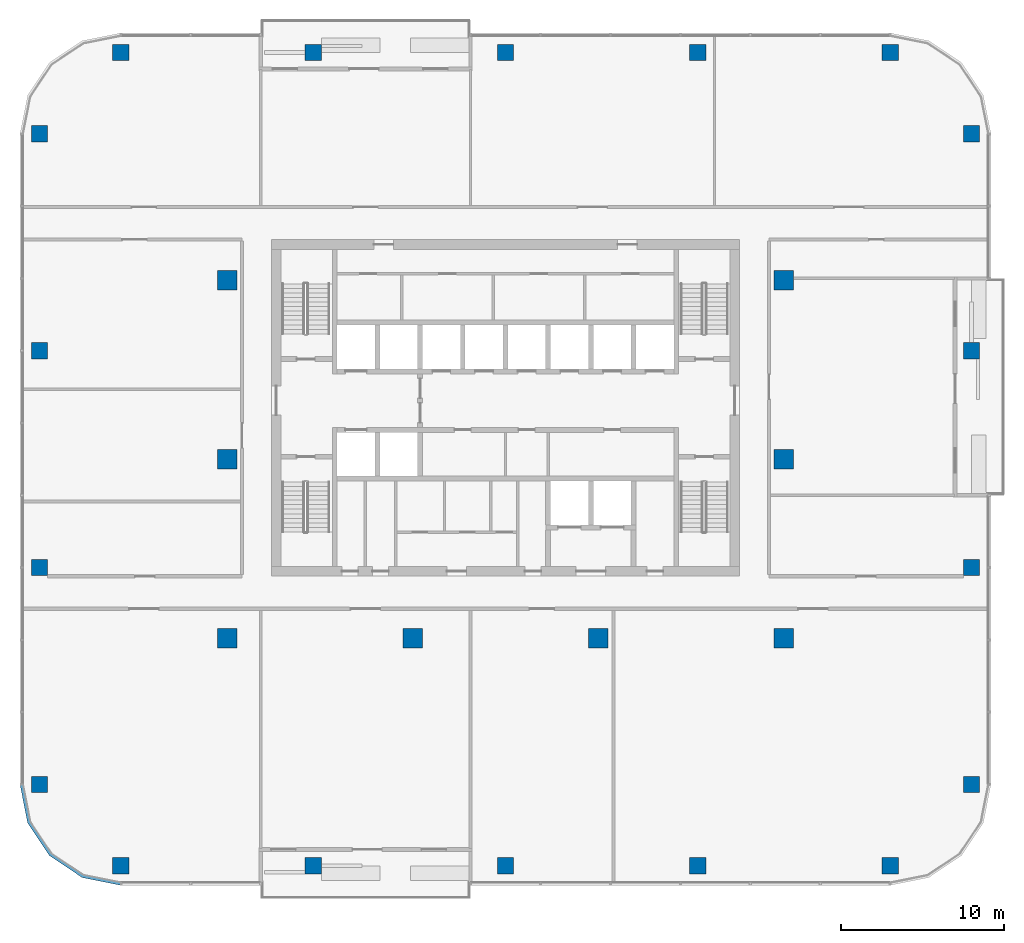
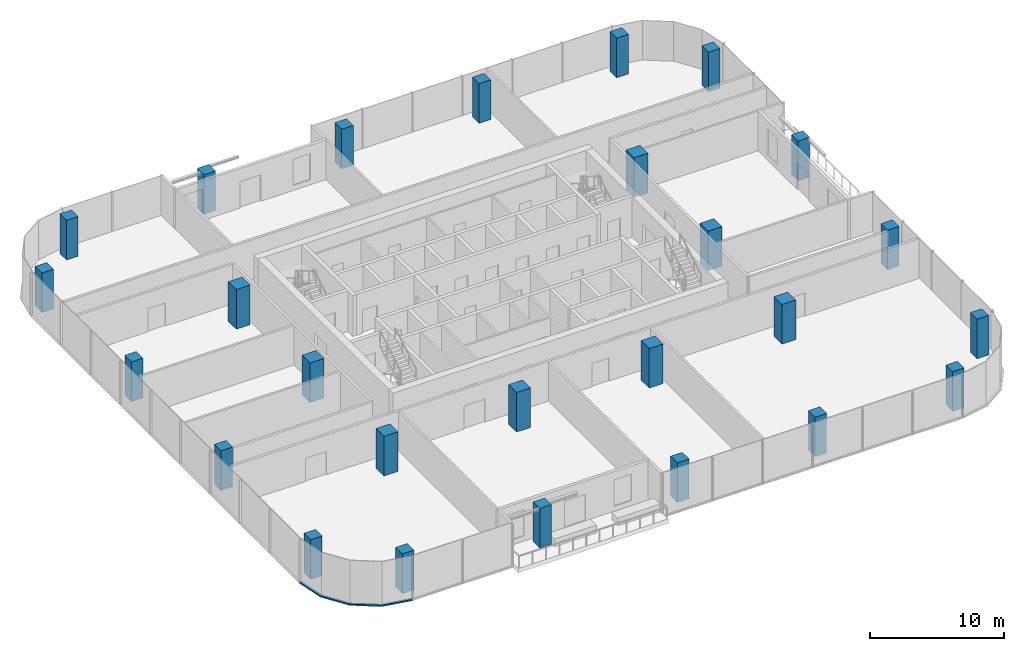
# One storey, part 1 of 13: 26 columns, 1 member, 1 element without a shape of its own.
"""IFC4 building model written with IfcOpenShell, lengths in metres."""

import ifcopenshell
import ifcopenshell.guid

model = None  # the IFC model being written
_history = None  # IfcOwnerHistory: only IFC2X3 demands one
_inside = {}  # id of a spatial element -> (the spatial element, [elements in it])
_under = {}  # id of a project, library or spatial element -> (it, [spatial elements below it])
_declared = {}  # id of a project -> (the project, [libraries it declares])
_typed = {}  # id of a type object -> (the type object, [elements of that type])
_made_of = {}  # id of a material, layer set ... -> (it, [elements and type objects made of it])


def new_model(schema):
    """Start an empty IFC model of exactly this schema.

    Asked for "IFC4X3", IfcOpenShell would pick the latest addendum, in which some entities
    have other attributes; the version numbers below select the first issue.
    IFC2X3 requires an IfcOwnerHistory on every rooted entity: one is made here for all.
    """
    global model, _history
    if schema == "IFC4X3":
        model = ifcopenshell.file(schema_version=(4, 3, 0, 0))
    else:
        model = ifcopenshell.file(schema=schema)
    _inside.clear()
    _under.clear()
    _declared.clear()
    _typed.clear()
    _made_of.clear()
    _history = None
    if model.schema == "IFC2X3":
        org = make("IfcOrganization", Name="unknown")
        user = make(
            "IfcPersonAndOrganization",
            ThePerson=make("IfcPerson", FamilyName="unknown"),
            TheOrganization=org,
        )
        app = make(
            "IfcApplication",
            ApplicationDeveloper=org,
            Version="unknown",
            ApplicationFullName="unknown",
            ApplicationIdentifier="unknown",
        )
        _history = make(
            "IfcOwnerHistory",
            OwningUser=user,
            OwningApplication=app,
            ChangeAction="ADDED",
            CreationDate=0,
        )
    return model


def make(cls, **values):
    """One entity of the class cls with the attributes given. An attribute that is None is left unset."""
    return model.create_entity(
        cls, **{name: value for name, value in values.items() if value is not None}
    )


def rooted(cls, **values):
    """An entity with a GlobalId (a new one), such as an element, a storey or a relation."""
    return make(cls, GlobalId=ifcopenshell.guid.new(), OwnerHistory=_history, **values)


def si_unit(unit_type, name, prefix=None):
    """IfcSIUnit, for example si_unit("LENGTHUNIT", "METRE", prefix="MILLI")."""
    return make("IfcSIUnit", UnitType=unit_type, Prefix=prefix, Name=name)


def assignment(units):
    """IfcUnitAssignment: the units of a project."""
    return None if units is None else make("IfcUnitAssignment", Units=units)


def point(xyz):
    """IfcCartesianPoint."""
    return None if xyz is None else make("IfcCartesianPoint", Coordinates=xyz)


def direction(xyz):
    """IfcDirection."""
    return None if xyz is None else make("IfcDirection", DirectionRatios=xyz)


def frame(location, z_axis=None, x_axis=None):
    """IfcAxis2Placement3D, a coordinate frame: its origin and axes. An axis left out is left unset."""
    return make(
        "IfcAxis2Placement3D",
        Location=point(location),
        Axis=direction(z_axis),
        RefDirection=direction(x_axis),
    )


def frame_2d(location, x_axis=None):
    """IfcAxis2Placement2D, a coordinate frame in the plane: its origin and x axis."""
    return make(
        "IfcAxis2Placement2D", Location=point(location), RefDirection=direction(x_axis)
    )


def origin():
    """The frame at (0, 0, 0) with its axes left unset."""
    return frame((0.0, 0.0, 0.0))


def origin_2d():
    """The frame at (0, 0) in the plane with its x axis left unset."""
    return frame_2d((0.0, 0.0))


def place(relative_to, where):
    """IfcLocalPlacement: puts the frame where relative to a parent placement (None: the world)."""
    return make(
        "IfcLocalPlacement", PlacementRelTo=relative_to, RelativePlacement=where
    )


def context(
    kind, dimensions, precision=None, world=None, true_north=None, identifier=None
):
    """IfcGeometricRepresentationContext, for example the 3D "Model" context."""
    return make(
        "IfcGeometricRepresentationContext",
        ContextIdentifier=identifier,
        ContextType=kind,
        CoordinateSpaceDimension=dimensions,
        Precision=precision,
        WorldCoordinateSystem=world,
        TrueNorth=true_north,
    )


def subcontext(parent, identifier, kind, view, scale=None):
    """IfcGeometricRepresentationSubContext, for example "Body" below "Model"."""
    return make(
        "IfcGeometricRepresentationSubContext",
        ContextIdentifier=identifier,
        ContextType=kind,
        ParentContext=parent,
        TargetScale=scale,
        TargetView=view,
    )


def project(units=None, contexts=None):
    """IfcProject with its units and contexts."""
    return rooted(
        "IfcProject",
        Name="project",
        RepresentationContexts=contexts,
        UnitsInContext=assignment(units),
    )


def spatial(cls, under=None, at=None, **own):
    """A site, building, storey or space (cls), placed at a placement, below another one or the project."""
    s = rooted(cls, ObjectPlacement=at, **own)
    if under is not None:
        _under.setdefault(under.id(), (under, []))[1].append(s)
    return s


def polyline(points):
    """IfcPolyline through the points."""
    return make("IfcPolyline", Points=[point(p) for p in points])


def profile(cls, at=None, kind="AREA", **sizes):
    """A parametric profile (cls). Its sizes go by their IFC names, for example OverallWidth=200.0."""
    return make(cls, ProfileType=kind, Position=at, **sizes)


def rectangle(**sizes):
    """IfcRectangleProfileDef."""
    return profile("IfcRectangleProfileDef", **sizes)


def outline(outer, holes=None, kind="AREA"):
    """IfcArbitraryClosedProfileDef: a profile drawn as a closed curve; with holes, ...WithVoids."""
    if holes is None:
        return make("IfcArbitraryClosedProfileDef", ProfileType=kind, OuterCurve=outer)
    return make(
        "IfcArbitraryProfileDefWithVoids",
        ProfileType=kind,
        OuterCurve=outer,
        InnerCurves=holes,
    )


def extrude(swept, where, along, depth):
    """IfcExtrudedAreaSolid: the profile swept, set in the frame where, extruded along a direction by depth."""
    return make(
        "IfcExtrudedAreaSolid",
        SweptArea=swept,
        Position=where,
        ExtrudedDirection=direction(along),
        Depth=depth,
    )


def shape(context_of_items, identifier, shape_type, items):
    """IfcShapeRepresentation: the items that make up one representation, for example the "Body"."""
    return make(
        "IfcShapeRepresentation",
        ContextOfItems=context_of_items,
        RepresentationIdentifier=identifier,
        RepresentationType=shape_type,
        Items=items,
    )


def material(Name=None, Category=None):
    """IfcMaterial."""
    return make("IfcMaterial", Name=Name, Category=Category)


def material_profile(
    of_material, cross_section, Name=None, Category=None, Priority=None
):
    """IfcMaterialProfile: a cross section and its material."""
    return make(
        "IfcMaterialProfile",
        Name=Name,
        Material=of_material,
        Profile=cross_section,
        Priority=Priority,
        Category=Category,
    )


def profile_set(profiles, Name=None, composite=None):
    """IfcMaterialProfileSet."""
    return make(
        "IfcMaterialProfileSet",
        Name=Name,
        MaterialProfiles=profiles,
        CompositeProfile=composite,
    )


def made_of(thing, what):
    """Note that an element or type object is made of a material, layer set ...; save() writes the relation."""
    if what is not None:
        _made_of.setdefault(what.id(), (what, []))[1].append(thing)
    return thing


def type_object(cls, material=None, **own):
    """A type object (cls), such as IfcWallType, which elements share."""
    return made_of(rooted(cls, **own), material)


def element(
    cls,
    number,
    at=None,
    inside=None,
    cuts=None,
    type_object=None,
    material=None,
    context=None,
    identifier="Body",
    shape_type=None,
    held_by="IfcProductDefinitionShape",
    body=None,
    shapes=None,
    **own,
):
    """One element of the class cls, such as IfcWall. Its Tag is "e" and its number.

    at: its placement. inside: the storey or other place that contains it. cuts: it is an
    opening in that element (IfcRelVoidsElement). A single representation is given by context,
    identifier, shape_type and body (its items); several are given by shapes. held_by: the class
    of the entity that holds the representations. save() writes the other relations.
    """
    e = rooted(cls, Tag="e%d" % number, ObjectPlacement=at, **own)
    if body is not None:
        shapes = [shape(context, identifier, shape_type, body)]
    if shapes is not None:
        e.Representation = make(held_by, Representations=shapes)
    if inside is not None:
        _inside.setdefault(inside.id(), (inside, []))[1].append(e)
    if cuts is not None:
        rooted(
            "IfcRelVoidsElement", RelatingBuildingElement=cuts, RelatedOpeningElement=e
        )
    if type_object is not None:
        _typed.setdefault(type_object.id(), (type_object, []))[1].append(e)
    return made_of(e, material)


def aggregate(whole, parts):
    """IfcRelAggregates: a whole, such as a stair, and the parts it consists of."""
    return rooted("IfcRelAggregates", RelatingObject=whole, RelatedObjects=parts)


def save(model, path):
    """Write the relations noted so far, then the file.

    IfcRelAggregates (storeys below a building ...), IfcRelContainedInSpatialStructure (elements
    in a storey), IfcRelDefinesByType, IfcRelAssociatesMaterial and IfcRelDeclares: one each for
    every whole, place, type object, material and project.
    """
    for whole, parts in _under.values():
        aggregate(whole, parts)
    for where, things in _inside.values():
        rooted(
            "IfcRelContainedInSpatialStructure",
            RelatedElements=things,
            RelatingStructure=where,
        )
    for kind, things in _typed.values():
        rooted("IfcRelDefinesByType", RelatedObjects=things, RelatingType=kind)
    for what, things in _made_of.values():
        rooted("IfcRelAssociatesMaterial", RelatedObjects=things, RelatingMaterial=what)
    for by, libraries in _declared.values():
        rooted("IfcRelDeclares", RelatingContext=by, RelatedDefinitions=libraries)
    model.write(path)


model = new_model("IFC4")

# Units and contexts
model_context = context("Model", 3, precision=1e-05, world=origin(), true_north=direction((0.0, 1.0)))
body_context = subcontext(model_context, "Body", "Model", "MODEL_VIEW")
ifc_project = project(units=[si_unit("LENGTHUNIT", "METRE"), si_unit("AREAUNIT", "SQUARE_METRE"), si_unit("VOLUMEUNIT", "CUBIC_METRE"), si_unit("PLANEANGLEUNIT", "RADIAN"), si_unit("MASSUNIT", "GRAM", prefix="KILO")], contexts=[model_context])

# Site, building, storey
site_placement = place(None, origin())
site = spatial("IfcSite", under=ifc_project, at=site_placement, CompositionType="ELEMENT")
building_placement = place(site_placement, origin())
building = spatial("IfcBuilding", under=site, at=building_placement, Name="Mopane Tessera Tower", CompositionType="ELEMENT")
storey_placement = place(building_placement, frame((0.0, 0.0, 307.39990234375)))
storey = spatial("IfcBuildingStorey", under=building, at=storey_placement, Name="L67", CompositionType="ELEMENT", Elevation=307.39990234375)

# Columns
ifc_material_1 = material(Name="Concrete C40/50", Category="concrete")
ifc_material_profile_1 = material_profile(ifc_material_1, rectangle(XDim=1.199951171875, YDim=1.199951171875, at=origin_2d()))
ifc_profile_set_1 = profile_set([ifc_material_profile_1], Name="Concrete C40/50")
column_type_1 = type_object("IfcColumnType", Name="Interior column 1200 x 1200 C40/50", PredefinedType="COLUMN", material=ifc_profile_set_1)
for number, where, z_axis, x_axis, name in (
    (1, (-17.10009765625, -11.0, 0.0), (0.0, 0.0, 1.0), (1.0, 0.0, 0.0), "Interior column I1A L67"),
    (2, (-17.10009765625, 0.0, 0.0), (0.0, 0.0, 1.0), (1.0, 0.0, 0.0), "Interior column I1B L67"),
    (3, (-17.10009765625, 11.0, 0.0), (0.0, 0.0, 1.0), (1.0, 0.0, 0.0), "Interior column I1C L67"),
    (4, (-5.699951171875, -11.0, 0.0), (0.0, 0.0, 1.0), (1.0, 0.0, 0.0), "Interior column I2A L67"),
    (5, (5.699951171875, -11.0, 0.0), (0.0, 0.0, 1.0), (1.0, 0.0, 0.0), "Interior column I3A L67"),
    (6, (17.10009765625, -11.0, 0.0), (0.0, 0.0, 1.0), (1.0, 0.0, 0.0), "Interior column I4A L67"),
    (7, (17.10009765625, 0.0, 0.0), (0.0, 0.0, 1.0), (1.0, 0.0, 0.0), "Interior column I4B L67"),
    (8, (17.10009765625, 11.0, 0.0), (0.0, 0.0, 1.0), (1.0, 0.0, 0.0), "Interior column I4C L67"),
):
    element("IfcColumn", number, at=place(storey_placement, frame(where, z_axis=z_axis, x_axis=x_axis)), inside=storey, type_object=column_type_1, Name=name, PredefinedType="COLUMN", context=body_context, shape_type="SweptSolid", body=[
        extrude(rectangle(XDim=1.199951171875, YDim=1.199951171875, at=origin_2d()), origin(), (0.0, 0.0, 1.0), 3.60009765625),
    ])
ifc_material_2 = material(Name="Concrete C40/50", Category="concrete")
ifc_material_profile_2 = material_profile(ifc_material_2, rectangle(XDim=1.0, YDim=1.0, at=origin_2d()))
ifc_profile_set_2 = profile_set([ifc_material_profile_2], Name="Concrete C40/50")
column_type_2 = type_object("IfcColumnType", Name="Ring column 1000 x 1000 C40/50", PredefinedType="COLUMN", material=ifc_profile_set_2)
for number, where, z_axis, x_axis, name in (
    (9, (-23.64990234375, -25.0, 0.0), (0.0, 0.0, 1.0), (1.0, 0.0, 0.0), "Ring column S0 L67"),
    (10, (-11.824951171875, -25.0, 0.0), (0.0, 0.0, 1.0), (1.0, 0.0, 0.0), "Ring column S1 L67"),
    (11, (0.0, -25.0, 0.0), (0.0, 0.0, 1.0), (1.0, 0.0, 0.0), "Ring column S2 L67"),
    (12, (11.824951171875, -25.0, 0.0), (0.0, 0.0, 1.0), (1.0, 0.0, 0.0), "Ring column S3 L67"),
    (13, (23.64990234375, -25.0, 0.0), (0.0, 0.0, 1.0), (1.0, 0.0, 0.0), "Ring column S4 L67"),
    (14, (28.64990234375, -20.0, 0.0), (0.0, 0.0, 1.0), (1.0, 0.0, 0.0), "Ring column E0 L67"),
    (15, (28.64990234375, -6.666748046875, 0.0), (0.0, 0.0, 1.0), (1.0, 0.0, 0.0), "Ring column E1 L67"),
    (16, (28.64990234375, 6.666748046875, 0.0), (0.0, 0.0, 1.0), (1.0, 0.0, 0.0), "Ring column E2 L67"),
    (17, (28.64990234375, 20.0, 0.0), (0.0, 0.0, 1.0), (1.0, 0.0, 0.0), "Ring column E3 L67"),
    (18, (23.64990234375, 25.0, 0.0), (0.0, 0.0, 1.0), (1.0, 0.0, 0.0), "Ring column N0 L67"),
    (19, (11.824951171875, 25.0, 0.0), (0.0, 0.0, 1.0), (1.0, 0.0, 0.0), "Ring column N1 L67"),
    (20, (0.0, 25.0, 0.0), (0.0, 0.0, 1.0), (1.0, 0.0, 0.0), "Ring column N2 L67"),
    (21, (-11.824951171875, 25.0, 0.0), (0.0, 0.0, 1.0), (1.0, 0.0, 0.0), "Ring column N3 L67"),
    (22, (-23.64990234375, 25.0, 0.0), (0.0, 0.0, 1.0), (1.0, 0.0, 0.0), "Ring column N4 L67"),
    (23, (-28.64990234375, 20.0, 0.0), (0.0, 0.0, 1.0), (1.0, 0.0, 0.0), "Ring column W0 L67"),
    (24, (-28.64990234375, 6.666748046875, 0.0), (0.0, 0.0, 1.0), (1.0, 0.0, 0.0), "Ring column W1 L67"),
    (25, (-28.64990234375, -6.666748046875, 0.0), (0.0, 0.0, 1.0), (1.0, 0.0, 0.0), "Ring column W2 L67"),
    (26, (-28.64990234375, -20.0, 0.0), (0.0, 0.0, 1.0), (1.0, 0.0, 0.0), "Ring column W3 L67"),
):
    element("IfcColumn", number, at=place(storey_placement, frame(where, z_axis=z_axis, x_axis=x_axis)), inside=storey, type_object=column_type_2, Name=name, PredefinedType="COLUMN", context=body_context, shape_type="SweptSolid", body=[
        extrude(rectangle(XDim=1.0, YDim=1.0, at=origin_2d()), origin(), (0.0, 0.0, 1.0), 3.60009765625),
    ])

# Curtain wall, member
ifc_material_3 = material(Name="Aluminium frame", Category="aluminium")
curtain_wall_type = type_object("IfcCurtainWallType", Name="Unitised curtain wall", PredefinedType="NOTDEFINED", material=ifc_material_3)
curtain_wall_placement = place(storey_placement, origin())
curtain_wall = element("IfcCurtainWall", 27, at=curtain_wall_placement, inside=storey, type_object=curtain_wall_type, Name="e:cw:L67:CW", PredefinedType="NOTDEFINED")
ifc_material_4 = material(Name="Aluminium frame", Category="aluminium")
ifc_material_profile_3 = material_profile(ifc_material_4, rectangle(XDim=0.199951171875, YDim=0.1201171875, at=origin_2d()))
ifc_profile_set_3 = profile_set([ifc_material_profile_3], Name="Aluminium frame")
member_type = type_object("IfcMemberType", Name="Aluminium transom 200 x 120", PredefinedType="USERDEFINED", material=ifc_profile_set_3)
member_placement = place(storey_placement, frame((0.0, 0.0, -0.39990234375)))
member = element("IfcMember", 28, at=member_placement, type_object=member_type, Name="e:cw:L67:CW:tr", ObjectType="TRANSOM", PredefinedType="USERDEFINED", context=body_context, shape_type="SweptSolid", body=[
    extrude(outline(polyline([(-29.64990234375, -20.0), (-29.193359375, -22.296142578125), (-27.892578125, -24.24267578125), (-25.946044921875, -25.543212890625), (-23.64990234375, -26.0), (-23.64990234375, -26.199951171875), (-26.022705078125, -25.72802734375), (-28.0341796875, -24.384033203125), (-29.378173828125, -22.37255859375), (-29.85009765625, -20.0), (-29.64990234375, -20.0)])), origin(), (0.0, 0.0, 1.0), 0.1201171875),
])
aggregate(curtain_wall, [member])

save(model, "model.ifc")
